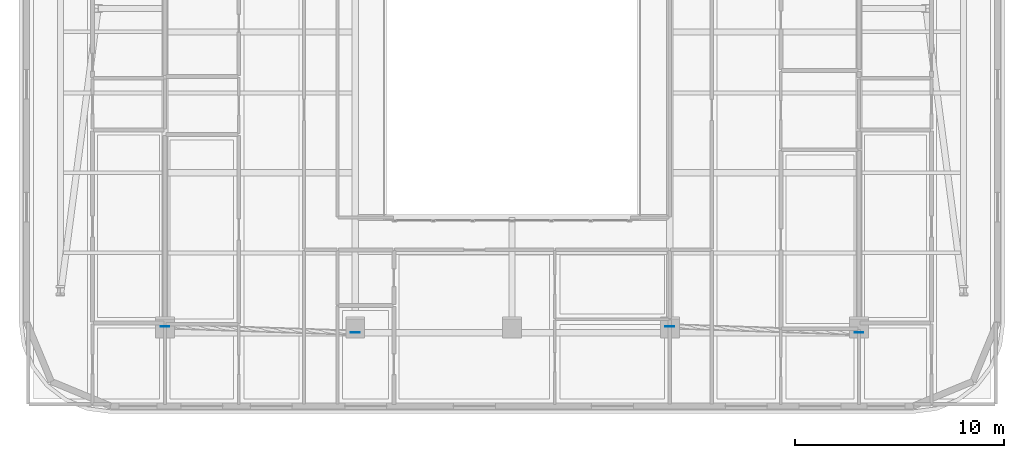
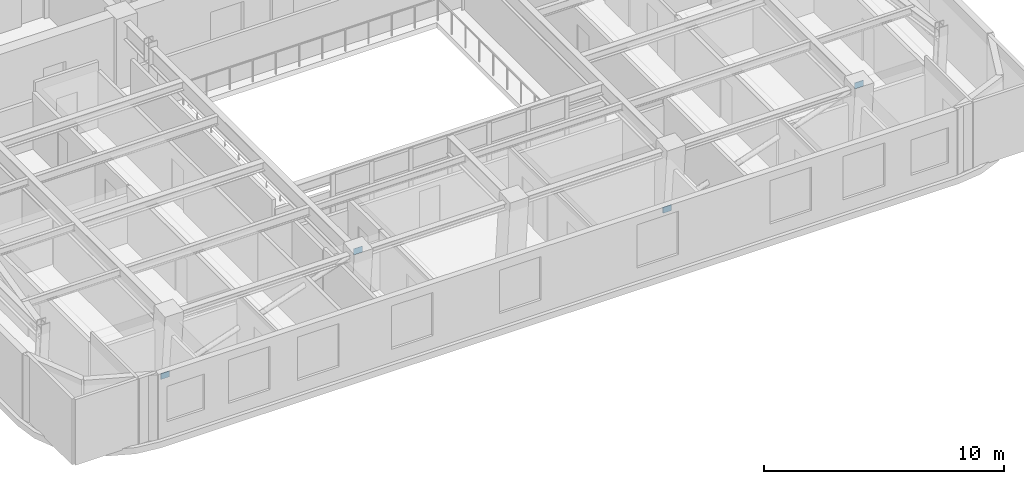
# One storey, part 5 of 15: 4 plates.
"""IFC4 building model written with IfcOpenShell, lengths in metres."""

import ifcopenshell
import ifcopenshell.guid

model = None  # the IFC model being written
_history = None  # IfcOwnerHistory: only IFC2X3 demands one
_inside = {}  # id of a spatial element -> (the spatial element, [elements in it])
_under = {}  # id of a project, library or spatial element -> (it, [spatial elements below it])
_declared = {}  # id of a project -> (the project, [libraries it declares])
_typed = {}  # id of a type object -> (the type object, [elements of that type])
_made_of = {}  # id of a material, layer set ... -> (it, [elements and type objects made of it])


def new_model(schema):
    """Start an empty IFC model of exactly this schema.

    Asked for "IFC4X3", IfcOpenShell would pick the latest addendum, in which some entities
    have other attributes; the version numbers below select the first issue.
    IFC2X3 requires an IfcOwnerHistory on every rooted entity: one is made here for all.
    """
    global model, _history
    if schema == "IFC4X3":
        model = ifcopenshell.file(schema_version=(4, 3, 0, 0))
    else:
        model = ifcopenshell.file(schema=schema)
    _inside.clear()
    _under.clear()
    _declared.clear()
    _typed.clear()
    _made_of.clear()
    _history = None
    if model.schema == "IFC2X3":
        org = make("IfcOrganization", Name="unknown")
        user = make(
            "IfcPersonAndOrganization",
            ThePerson=make("IfcPerson", FamilyName="unknown"),
            TheOrganization=org,
        )
        app = make(
            "IfcApplication",
            ApplicationDeveloper=org,
            Version="unknown",
            ApplicationFullName="unknown",
            ApplicationIdentifier="unknown",
        )
        _history = make(
            "IfcOwnerHistory",
            OwningUser=user,
            OwningApplication=app,
            ChangeAction="ADDED",
            CreationDate=0,
        )
    return model


def make(cls, **values):
    """One entity of the class cls with the attributes given. An attribute that is None is left unset."""
    return model.create_entity(
        cls, **{name: value for name, value in values.items() if value is not None}
    )


def rooted(cls, **values):
    """An entity with a GlobalId (a new one), such as an element, a storey or a relation."""
    return make(cls, GlobalId=ifcopenshell.guid.new(), OwnerHistory=_history, **values)


def si_unit(unit_type, name, prefix=None):
    """IfcSIUnit, for example si_unit("LENGTHUNIT", "METRE", prefix="MILLI")."""
    return make("IfcSIUnit", UnitType=unit_type, Prefix=prefix, Name=name)


def assignment(units):
    """IfcUnitAssignment: the units of a project."""
    return None if units is None else make("IfcUnitAssignment", Units=units)


def point(xyz):
    """IfcCartesianPoint."""
    return None if xyz is None else make("IfcCartesianPoint", Coordinates=xyz)


def direction(xyz):
    """IfcDirection."""
    return None if xyz is None else make("IfcDirection", DirectionRatios=xyz)


def frame(location, z_axis=None, x_axis=None):
    """IfcAxis2Placement3D, a coordinate frame: its origin and axes. An axis left out is left unset."""
    return make(
        "IfcAxis2Placement3D",
        Location=point(location),
        Axis=direction(z_axis),
        RefDirection=direction(x_axis),
    )


def frame_2d(location, x_axis=None):
    """IfcAxis2Placement2D, a coordinate frame in the plane: its origin and x axis."""
    return make(
        "IfcAxis2Placement2D", Location=point(location), RefDirection=direction(x_axis)
    )


def origin():
    """The frame at (0, 0, 0) with its axes left unset."""
    return frame((0.0, 0.0, 0.0))


def origin_2d():
    """The frame at (0, 0) in the plane with its x axis left unset."""
    return frame_2d((0.0, 0.0))


def place(relative_to, where):
    """IfcLocalPlacement: puts the frame where relative to a parent placement (None: the world)."""
    return make(
        "IfcLocalPlacement", PlacementRelTo=relative_to, RelativePlacement=where
    )


def context(
    kind, dimensions, precision=None, world=None, true_north=None, identifier=None
):
    """IfcGeometricRepresentationContext, for example the 3D "Model" context."""
    return make(
        "IfcGeometricRepresentationContext",
        ContextIdentifier=identifier,
        ContextType=kind,
        CoordinateSpaceDimension=dimensions,
        Precision=precision,
        WorldCoordinateSystem=world,
        TrueNorth=true_north,
    )


def subcontext(parent, identifier, kind, view, scale=None):
    """IfcGeometricRepresentationSubContext, for example "Body" below "Model"."""
    return make(
        "IfcGeometricRepresentationSubContext",
        ContextIdentifier=identifier,
        ContextType=kind,
        ParentContext=parent,
        TargetScale=scale,
        TargetView=view,
    )


def project(units=None, contexts=None):
    """IfcProject with its units and contexts."""
    return rooted(
        "IfcProject",
        Name="project",
        RepresentationContexts=contexts,
        UnitsInContext=assignment(units),
    )


def spatial(cls, under=None, at=None, **own):
    """A site, building, storey or space (cls), placed at a placement, below another one or the project."""
    s = rooted(cls, ObjectPlacement=at, **own)
    if under is not None:
        _under.setdefault(under.id(), (under, []))[1].append(s)
    return s


def profile(cls, at=None, kind="AREA", **sizes):
    """A parametric profile (cls). Its sizes go by their IFC names, for example OverallWidth=200.0."""
    return make(cls, ProfileType=kind, Position=at, **sizes)


def rectangle(**sizes):
    """IfcRectangleProfileDef."""
    return profile("IfcRectangleProfileDef", **sizes)


def extrude(swept, where, along, depth):
    """IfcExtrudedAreaSolid: the profile swept, set in the frame where, extruded along a direction by depth."""
    return make(
        "IfcExtrudedAreaSolid",
        SweptArea=swept,
        Position=where,
        ExtrudedDirection=direction(along),
        Depth=depth,
    )


def shape(context_of_items, identifier, shape_type, items):
    """IfcShapeRepresentation: the items that make up one representation, for example the "Body"."""
    return make(
        "IfcShapeRepresentation",
        ContextOfItems=context_of_items,
        RepresentationIdentifier=identifier,
        RepresentationType=shape_type,
        Items=items,
    )


def material(Name=None, Category=None):
    """IfcMaterial."""
    return make("IfcMaterial", Name=Name, Category=Category)


def layer(
    of_material, thickness, ventilated=None, Name=None, Category=None, Priority=None
):
    """IfcMaterialLayer: one layer of a wall or slab, of a material (None: an air gap)."""
    return make(
        "IfcMaterialLayer",
        Material=of_material,
        LayerThickness=thickness,
        IsVentilated=ventilated,
        Name=Name,
        Category=Category,
        Priority=Priority,
    )


def layer_set(layers, Name=None):
    """IfcMaterialLayerSet."""
    return make("IfcMaterialLayerSet", MaterialLayers=layers, LayerSetName=Name)


def made_of(thing, what):
    """Note that an element or type object is made of a material, layer set ...; save() writes the relation."""
    if what is not None:
        _made_of.setdefault(what.id(), (what, []))[1].append(thing)
    return thing


def type_object(cls, material=None, **own):
    """A type object (cls), such as IfcWallType, which elements share."""
    return made_of(rooted(cls, **own), material)


def element(
    cls,
    number,
    at=None,
    inside=None,
    cuts=None,
    type_object=None,
    material=None,
    context=None,
    identifier="Body",
    shape_type=None,
    held_by="IfcProductDefinitionShape",
    body=None,
    shapes=None,
    **own,
):
    """One element of the class cls, such as IfcWall. Its Tag is "e" and its number.

    at: its placement. inside: the storey or other place that contains it. cuts: it is an
    opening in that element (IfcRelVoidsElement). A single representation is given by context,
    identifier, shape_type and body (its items); several are given by shapes. held_by: the class
    of the entity that holds the representations. save() writes the other relations.
    """
    e = rooted(cls, Tag="e%d" % number, ObjectPlacement=at, **own)
    if body is not None:
        shapes = [shape(context, identifier, shape_type, body)]
    if shapes is not None:
        e.Representation = make(held_by, Representations=shapes)
    if inside is not None:
        _inside.setdefault(inside.id(), (inside, []))[1].append(e)
    if cuts is not None:
        rooted(
            "IfcRelVoidsElement", RelatingBuildingElement=cuts, RelatedOpeningElement=e
        )
    if type_object is not None:
        _typed.setdefault(type_object.id(), (type_object, []))[1].append(e)
    return made_of(e, material)


def aggregate(whole, parts):
    """IfcRelAggregates: a whole, such as a stair, and the parts it consists of."""
    return rooted("IfcRelAggregates", RelatingObject=whole, RelatedObjects=parts)


def save(model, path):
    """Write the relations noted so far, then the file.

    IfcRelAggregates (storeys below a building ...), IfcRelContainedInSpatialStructure (elements
    in a storey), IfcRelDefinesByType, IfcRelAssociatesMaterial and IfcRelDeclares: one each for
    every whole, place, type object, material and project.
    """
    for whole, parts in _under.values():
        aggregate(whole, parts)
    for where, things in _inside.values():
        rooted(
            "IfcRelContainedInSpatialStructure",
            RelatedElements=things,
            RelatingStructure=where,
        )
    for kind, things in _typed.values():
        rooted("IfcRelDefinesByType", RelatedObjects=things, RelatingType=kind)
    for what, things in _made_of.values():
        rooted("IfcRelAssociatesMaterial", RelatedObjects=things, RelatingMaterial=what)
    for by, libraries in _declared.values():
        rooted("IfcRelDeclares", RelatingContext=by, RelatedDefinitions=libraries)
    model.write(path)


model = new_model("IFC4")

# Units and contexts
model_context = context("Model", 3, precision=1e-05, world=origin(), true_north=direction((0.0, 1.0)))
body_context = subcontext(model_context, "Body", "Model", "MODEL_VIEW")
ifc_project = project(units=[si_unit("LENGTHUNIT", "METRE"), si_unit("AREAUNIT", "SQUARE_METRE"), si_unit("VOLUMEUNIT", "CUBIC_METRE"), si_unit("PLANEANGLEUNIT", "RADIAN"), si_unit("MASSUNIT", "GRAM", prefix="KILO")], contexts=[model_context])

# Site, building, storey
site_placement = place(None, origin())
site = spatial("IfcSite", under=ifc_project, at=site_placement, CompositionType="ELEMENT")
building_placement = place(site_placement, origin())
building = spatial("IfcBuilding", under=site, at=building_placement, Name="Zarnavel Station Tower", CompositionType="ELEMENT")
storey_placement = place(building_placement, frame((0.0, 0.0, 196.800048828125)))
storey = spatial("IfcBuildingStorey", under=building, at=storey_placement, Name="L53", CompositionType="ELEMENT", Elevation=196.800048828125)

# Plates
ifc_material = material(Name="Steel S460M", Category="steel")
ifc_layer = layer(ifc_material, 0.02490234375)
ifc_layer_set = layer_set([ifc_layer], Name="GP_GUSSET_25")
plate_type = type_object("IfcPlateType", Name="GP_GUSSET_25", PredefinedType="USERDEFINED", material=ifc_layer_set)
for number, where, z_axis, x_axis, name in (
    (1, (12.199951171875, 8.39404296875, -0.14990234375), (0.0, 0.0, 1.0), (1.0, 0.0, 0.0), "L53 Exterior Diagonal Brace End Gusset 1-1"),
    (2, (21.300048828125, 8.09130859375, 3.18994140625), (0.0, 0.0, 1.0), (1.0, 0.0, 0.0), "L53 Exterior Diagonal Brace End Gusset 1-2"),
    (3, (36.35009765625, 8.39404296875, -0.14990234375), (0.0, 0.0, 1.0), (1.0, 0.0, 0.0), "L53 Exterior Diagonal Brace End Gusset 2-1"),
    (4, (45.39990234375, 8.09130859375, 3.18994140625), (0.0, 0.0, 1.0), (1.0, 0.0, 0.0), "L53 Exterior Diagonal Brace End Gusset 2-2"),
):
    element("IfcPlate", number, at=place(storey_placement, frame(where, z_axis=z_axis, x_axis=x_axis)), inside=storey, type_object=plate_type, Name=name, ObjectType="GUSSET_PLATE", PredefinedType="USERDEFINED", context=body_context, shape_type="SweptSolid", body=[
        extrude(rectangle(XDim=0.419921875, YDim=0.02490234375, at=origin_2d()), origin(), (0.0, 0.0, 1.0), 0.300048828125),
    ])

save(model, "model.ifc")
